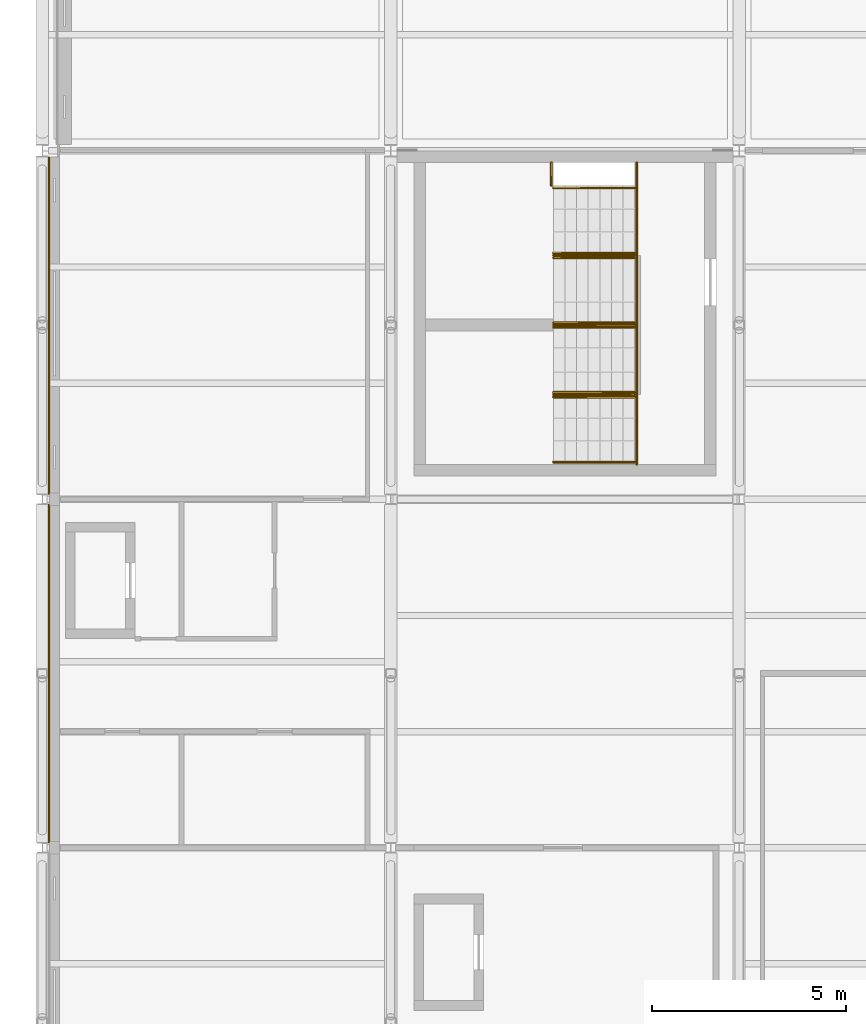
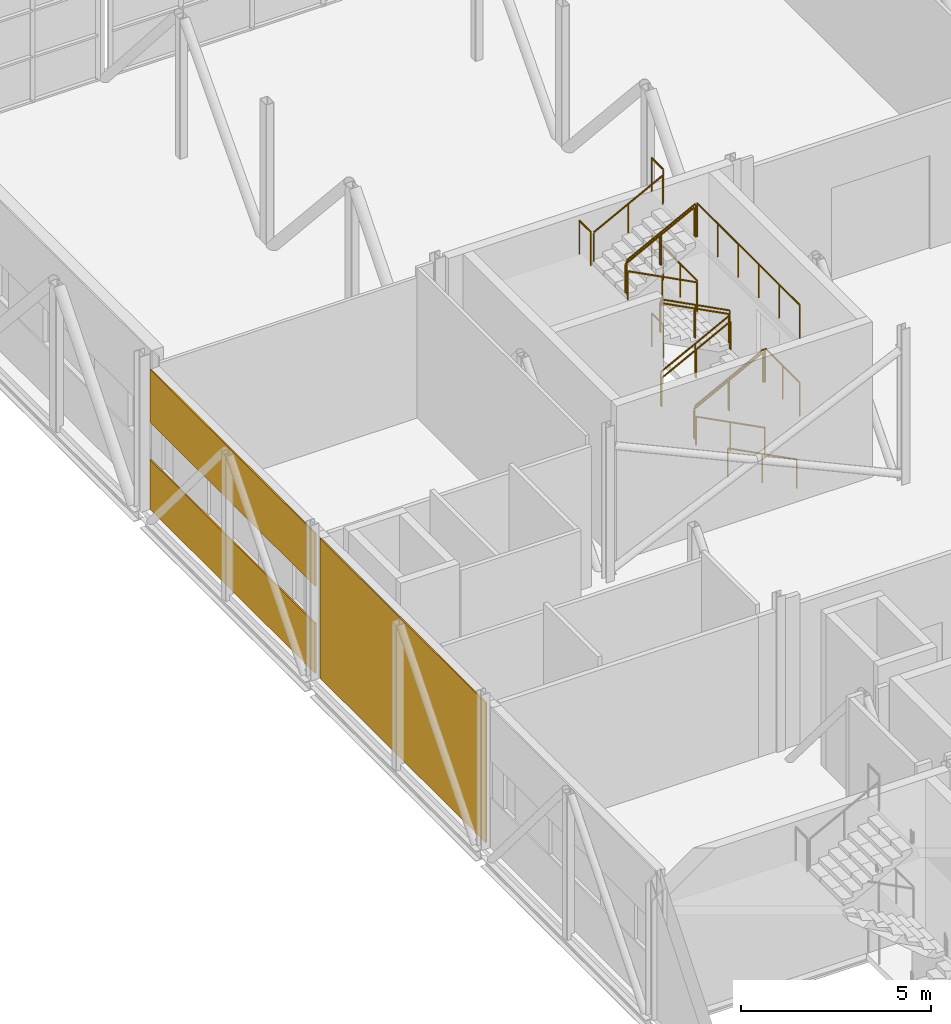
# One storey, part 92 of 94: 19 railings, 3 coverings.
"""IFC4 building model written with IfcOpenShell, lengths in metres."""

from ifc_helpers import new_model, si_unit, direction, frame, origin, origin_2d, place, context, subcontext, project, spatial, rectangle, circle, extrude, material, layer, layer_set, type_object, element, save


model = new_model("IFC4")

# Units and contexts
model_context = context("Model", 3, precision=1e-05, world=origin(), true_north=direction((0.0, 1.0)))
body_context = subcontext(model_context, "Body", "Model", "MODEL_VIEW")
ifc_project = project(units=[si_unit("LENGTHUNIT", "METRE"), si_unit("AREAUNIT", "SQUARE_METRE"), si_unit("VOLUMEUNIT", "CUBIC_METRE"), si_unit("PLANEANGLEUNIT", "RADIAN"), si_unit("MASSUNIT", "GRAM", prefix="KILO")], contexts=[model_context])

# Site, building, storey
site_placement = place(None, origin())
site = spatial("IfcSite", under=ifc_project, at=site_placement, CompositionType="ELEMENT")
building_placement = place(site_placement, origin())
building = spatial("IfcBuilding", under=site, at=building_placement, Name="Shorebreak Coast Museum", CompositionType="ELEMENT")
storey_placement = place(building_placement, frame((0.0, 0.0, 31.0)))
storey = spatial("IfcBuildingStorey", under=building, at=storey_placement, Name="L05", CompositionType="ELEMENT", Elevation=31.0)

# Railings
ifc_material_1 = material(Name="Steel Grade 300", Category="steel")
railing_type_1 = type_object("IfcRailingType", Name="Stair guard 1100", PredefinedType="GUARDRAIL", material=ifc_material_1)
for number, where, name in (
    (1, (69.35009765625, 108.89990234375, 2.5), "Guard ST09 L05 landing mid1"),
    (2, (69.35009765625, 114.300048828125, 2.5), "Guard ST09 L05 landing mid1"),
):
    element("IfcRailing", number, at=place(storey_placement, frame(where)), inside=storey, type_object=railing_type_1, Name=name, PredefinedType="GUARDRAIL", context=body_context, shape_type="SweptSolid", body=[
        extrude(circle(Radius=0.02490234375, at=origin_2d()), frame((0.0, 0.0, 1.0751953125), z_axis=(0.0, 1.0, 0.0), x_axis=(-1.0, 0.0, 0.0)), (0.0, 0.0, 1.0), 1.800048828125),
        extrude(circle(Radius=0.02001953125, at=origin_2d()), origin(), (0.0, 0.0, 1.0), 1.050048828125),
        extrude(circle(Radius=0.02001953125, at=origin_2d()), frame((0.0, 0.89990234375, 0.0)), (0.0, 0.0, 1.0), 1.050048828125),
        extrude(circle(Radius=0.02001953125, at=origin_2d()), frame((0.0, 1.800048828125, 0.0)), (0.0, 0.0, 1.0), 1.050048828125),
    ])
railing_1_placement = place(storey_placement, frame((69.35009765625, 108.89990234375, 5.0)))
element("IfcRailing", 3, at=railing_1_placement, inside=storey, type_object=railing_type_1, Name="Guard ST09 L05 landing top", PredefinedType="GUARDRAIL", context=body_context, shape_type="SweptSolid", body=[
    extrude(circle(Radius=0.02490234375, at=origin_2d()), frame((0.0, 0.0, 1.0751953125), z_axis=(0.0, 1.0, 0.0), x_axis=(-1.0, 0.0, 0.0)), (0.0, 0.0, 1.0), 5.400146484375),
    extrude(circle(Radius=0.02001953125, at=origin_2d()), origin(), (0.0, 0.0, 1.0), 1.050048828125),
    extrude(circle(Radius=0.02001953125, at=origin_2d()), frame((0.0, 1.080078125, 0.0)), (0.0, 0.0, 1.0), 1.050048828125),
    extrude(circle(Radius=0.02001953125, at=origin_2d()), frame((0.0, 2.16015625, 0.0)), (0.0, 0.0, 1.0), 1.050048828125),
    extrude(circle(Radius=0.02001953125, at=origin_2d()), frame((0.0, 3.239990234375, 0.0)), (0.0, 0.0, 1.0), 1.050048828125),
    extrude(circle(Radius=0.02001953125, at=origin_2d()), frame((0.0, 4.320068359375, 0.0)), (0.0, 0.0, 1.0), 1.050048828125),
    extrude(circle(Radius=0.02001953125, at=origin_2d()), frame((0.0, 5.400146484375, 0.0)), (0.0, 0.0, 1.0), 1.050048828125),
])
for number, where, name in (
    (4, (69.35009765625, 116.10009765625, 0.0), "Guard ST09 L05 landing strip"),
    (5, (69.35009765625, 116.10009765625, 2.5), "Guard ST09 L05 landing strip"),
    (6, (67.14990234375, 116.10009765625, 3.75), "Guard ST09 L05 landing strip"),
    (7, (69.35009765625, 116.10009765625, 5.0), "Guard ST09 L05 landing strip"),
):
    element("IfcRailing", number, at=place(storey_placement, frame(where)), inside=storey, type_object=railing_type_1, Name=name, PredefinedType="GUARDRAIL", context=body_context, shape_type="SweptSolid", body=[
        extrude(circle(Radius=0.02490234375, at=origin_2d()), frame((0.0, 0.0, 1.0751953125), z_axis=(0.0, 1.0, 0.0), x_axis=(-1.0, 0.0, 0.0)), (0.0, 0.0, 1.0), 0.599853515625),
        extrude(circle(Radius=0.02001953125, at=origin_2d()), origin(), (0.0, 0.0, 1.0), 1.050048828125),
        extrude(circle(Radius=0.02001953125, at=origin_2d()), frame((0.0, 0.599853515625, 0.0)), (0.0, 0.0, 1.0), 1.050048828125),
    ])
for number, where, name in (
    (8, (67.199951171875, 110.699951171875, 1.40625), "Guard ST09-L05 well 1"),
    (9, (67.199951171875, 114.300048828125, 3.90625), "Guard ST09-L05 well 2"),
    (10, (67.199951171875, 112.5, 1.40625), "Guard ST09-L05 side 1"),
):
    element("IfcRailing", number, at=place(storey_placement, frame(where)), inside=storey, type_object=railing_type_1, Name=name, PredefinedType="GUARDRAIL", context=body_context, shape_type="SweptSolid", body=[
        extrude(circle(Radius=0.02490234375, at=origin_2d()), frame((0.0, 0.0, 1.0751953125), z_axis=(0.8869228845, 0.0, 0.461917521804), x_axis=(0.0, 1.0, 0.0)), (0.0, 0.0, 1.0), 2.367919921875),
        extrude(circle(Radius=0.02001953125, at=origin_2d()), origin(), (0.0, 0.0, 1.0), 1.050048828125),
        extrude(circle(Radius=0.02001953125, at=origin_2d()), frame((1.050048828125, 0.0, 0.546875)), (0.0, 0.0, 1.0), 1.050048828125),
        extrude(circle(Radius=0.02001953125, at=origin_2d()), frame((2.10009765625, 0.0, 1.09375)), (0.0, 0.0, 1.0), 1.050048828125),
    ])
railing_2_placement = place(storey_placement, frame((69.300048828125, 112.5, 2.65625)))
element("IfcRailing", 11, at=railing_2_placement, inside=storey, type_object=railing_type_1, Name="Guard ST09-L05 side 2", PredefinedType="GUARDRAIL", context=body_context, shape_type="SweptSolid", body=[
    extrude(circle(Radius=0.02490234375, at=origin_2d()), frame((0.0, 0.0, 1.0751953125), z_axis=(-0.8869228845, 0.0, 0.461917521804), x_axis=(0.0, -1.0, 0.0)), (0.0, 0.0, 1.0), 2.367919921875),
    extrude(circle(Radius=0.02001953125, at=origin_2d()), origin(), (0.0, 0.0, 1.0), 1.050048828125),
    extrude(circle(Radius=0.02001953125, at=origin_2d()), frame((-1.050048828125, 0.0, 0.546875)), (0.0, 0.0, 1.0), 1.050048828125),
    extrude(circle(Radius=0.02001953125, at=origin_2d()), frame((-2.10009765625, 0.0, 1.09375)), (0.0, 0.0, 1.0), 1.050048828125),
])
ifc_material_2 = material(Name="Steel Grade 300", Category="steel")
railing_type_2 = type_object("IfcRailingType", Name="Stair handrail 950", PredefinedType="HANDRAIL", material=ifc_material_2)
for number, where, name in (
    (12, (69.300048828125, 108.9599609375, 0.15625), "Handrail ST09-L05 flight 1a"),
    (13, (69.300048828125, 110.639892578125, 0.15625), "Handrail ST09-L05 flight 1b"),
):
    element("IfcRailing", number, at=place(storey_placement, frame(where)), inside=storey, type_object=railing_type_2, Name=name, PredefinedType="HANDRAIL", context=body_context, shape_type="SweptSolid", body=[
        extrude(circle(Radius=0.02490234375, at=origin_2d()), frame((0.0, 0.0, 0.9248046875), z_axis=(-0.8869228845, 0.0, 0.461917521804), x_axis=(0.0, -1.0, 0.0)), (0.0, 0.0, 1.0), 2.367919921875),
        extrude(circle(Radius=0.02001953125, at=origin_2d()), origin(), (0.0, 0.0, 1.0), 0.89990234375),
        extrude(circle(Radius=0.02001953125, at=origin_2d()), frame((-1.050048828125, 0.0, 0.546875)), (0.0, 0.0, 1.0), 0.89990234375),
        extrude(circle(Radius=0.02001953125, at=origin_2d()), frame((-2.10009765625, 0.0, 1.09375)), (0.0, 0.0, 1.0), 0.89990234375),
    ])
for number, where, name in (
    (14, (67.199951171875, 110.760009765625, 1.40625), "Handrail ST09-L05 flight 2a"),
    (15, (67.199951171875, 112.43994140625, 1.40625), "Handrail ST09-L05 flight 2b"),
):
    element("IfcRailing", number, at=place(storey_placement, frame(where)), inside=storey, type_object=railing_type_2, Name=name, PredefinedType="HANDRAIL", context=body_context, shape_type="SweptSolid", body=[
        extrude(circle(Radius=0.02490234375, at=origin_2d()), frame((0.0, 0.0, 0.9248046875), z_axis=(0.8869228845, 0.0, 0.461917521804), x_axis=(0.0, 1.0, 0.0)), (0.0, 0.0, 1.0), 2.367919921875),
        extrude(circle(Radius=0.02001953125, at=origin_2d()), origin(), (0.0, 0.0, 1.0), 0.89990234375),
        extrude(circle(Radius=0.02001953125, at=origin_2d()), frame((1.050048828125, 0.0, 0.546875)), (0.0, 0.0, 1.0), 0.89990234375),
        extrude(circle(Radius=0.02001953125, at=origin_2d()), frame((2.10009765625, 0.0, 1.09375)), (0.0, 0.0, 1.0), 0.89990234375),
    ])
for number, where, name in (
    (16, (69.300048828125, 112.56005859375, 2.65625), "Handrail ST09-L05 flight 3a"),
    (17, (69.300048828125, 114.239990234375, 2.65625), "Handrail ST09-L05 flight 3b"),
):
    element("IfcRailing", number, at=place(storey_placement, frame(where)), inside=storey, type_object=railing_type_2, Name=name, PredefinedType="HANDRAIL", context=body_context, shape_type="SweptSolid", body=[
        extrude(circle(Radius=0.02490234375, at=origin_2d()), frame((0.0, 0.0, 0.9248046875), z_axis=(-0.8869228845, 0.0, 0.461917521804), x_axis=(0.0, -1.0, 0.0)), (0.0, 0.0, 1.0), 2.367919921875),
        extrude(circle(Radius=0.02001953125, at=origin_2d()), origin(), (0.0, 0.0, 1.0), 0.89990234375),
        extrude(circle(Radius=0.02001953125, at=origin_2d()), frame((-1.050048828125, 0.0, 0.546875)), (0.0, 0.0, 1.0), 0.89990234375),
        extrude(circle(Radius=0.02001953125, at=origin_2d()), frame((-2.10009765625, 0.0, 1.09375)), (0.0, 0.0, 1.0), 0.89990234375),
    ])
for number, where, name in (
    (18, (67.199951171875, 114.360107421875, 3.90625), "Handrail ST09-L05 flight 4a"),
    (19, (67.199951171875, 116.0400390625, 3.90625), "Handrail ST09-L05 flight 4b"),
):
    element("IfcRailing", number, at=place(storey_placement, frame(where)), inside=storey, type_object=railing_type_2, Name=name, PredefinedType="HANDRAIL", context=body_context, shape_type="SweptSolid", body=[
        extrude(circle(Radius=0.02490234375, at=origin_2d()), frame((0.0, 0.0, 0.9248046875), z_axis=(0.8869228845, 0.0, 0.461917521804), x_axis=(0.0, 1.0, 0.0)), (0.0, 0.0, 1.0), 2.367919921875),
        extrude(circle(Radius=0.02001953125, at=origin_2d()), origin(), (0.0, 0.0, 1.0), 0.89990234375),
        extrude(circle(Radius=0.02001953125, at=origin_2d()), frame((1.050048828125, 0.0, 0.546875)), (0.0, 0.0, 1.0), 0.89990234375),
        extrude(circle(Radius=0.02001953125, at=origin_2d()), frame((2.10009765625, 0.0, 1.09375)), (0.0, 0.0, 1.0), 0.89990234375),
    ])

# Coverings
ifc_material_3 = material(Name="Aluminium", Category="aluminium")
ifc_layer = layer(ifc_material_3, 0.0400390625)
ifc_layer_set = layer_set([ifc_layer], Name="Aluminium")
covering_type = type_object("IfcCoveringType", Name="Zinc standing-seam panel 40", PredefinedType="CLADDING", material=ifc_layer_set)
covering_1_placement = place(storey_placement, frame((54.17041015625, 103.5, 0.0), z_axis=(0.0, 0.0, 1.0), x_axis=(1.0, 0.0, 0.0)))
element("IfcCovering", 20, at=covering_1_placement, inside=storey, type_object=covering_type, Name="Zinc cladding L05 W8", PredefinedType="CLADDING", context=body_context, shape_type="SweptSolid", body=[
    extrude(rectangle(XDim=0.0400390625, YDim=8.74609375, at=origin_2d()), origin(), (0.0, 0.0, 1.0), 4.50439453125),
])
covering_2_placement = place(storey_placement, frame((54.17041015625, 112.481689453125, 0.0), z_axis=(0.0, 0.0, 1.0), x_axis=(1.0, 0.0, 0.0)))
element("IfcCovering", 21, at=covering_2_placement, inside=storey, type_object=covering_type, Name="Zinc cladding L05 W9", PredefinedType="CLADDING", context=body_context, shape_type="SweptSolid", body=[
    extrude(rectangle(XDim=0.0400390625, YDim=8.70947265625, at=origin_2d()), origin(), (0.0, 0.0, 1.0), 1.60009765625),
])
covering_3_placement = place(storey_placement, frame((54.17041015625, 112.481689453125, 2.7998046875), z_axis=(0.0, 0.0, 1.0), x_axis=(1.0, 0.0, 0.0)))
element("IfcCovering", 22, at=covering_3_placement, inside=storey, type_object=covering_type, Name="Zinc cladding L05 W10", PredefinedType="CLADDING", context=body_context, shape_type="SweptSolid", body=[
    extrude(rectangle(XDim=0.0400390625, YDim=8.70947265625, at=origin_2d()), origin(), (0.0, 0.0, 1.0), 1.704345703125),
])

save(model, "model.ifc")
